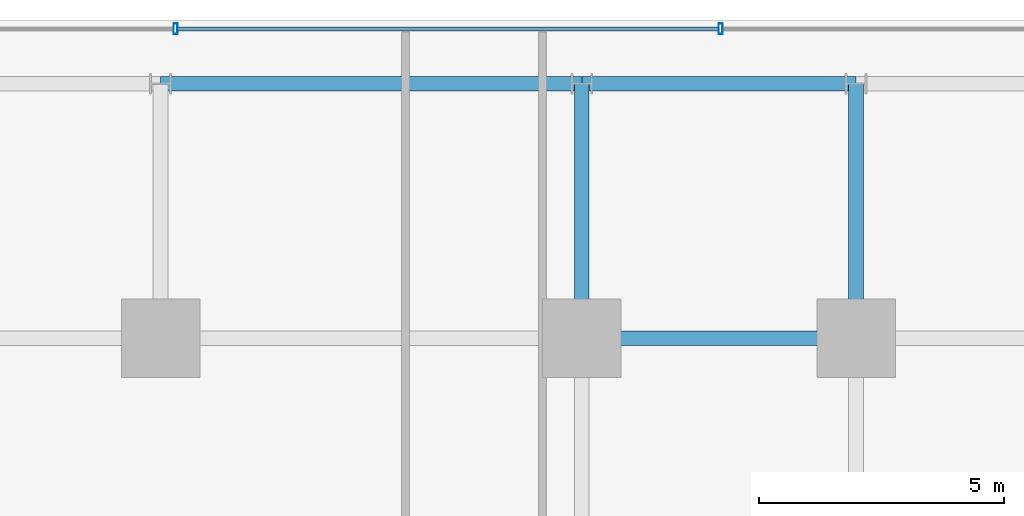
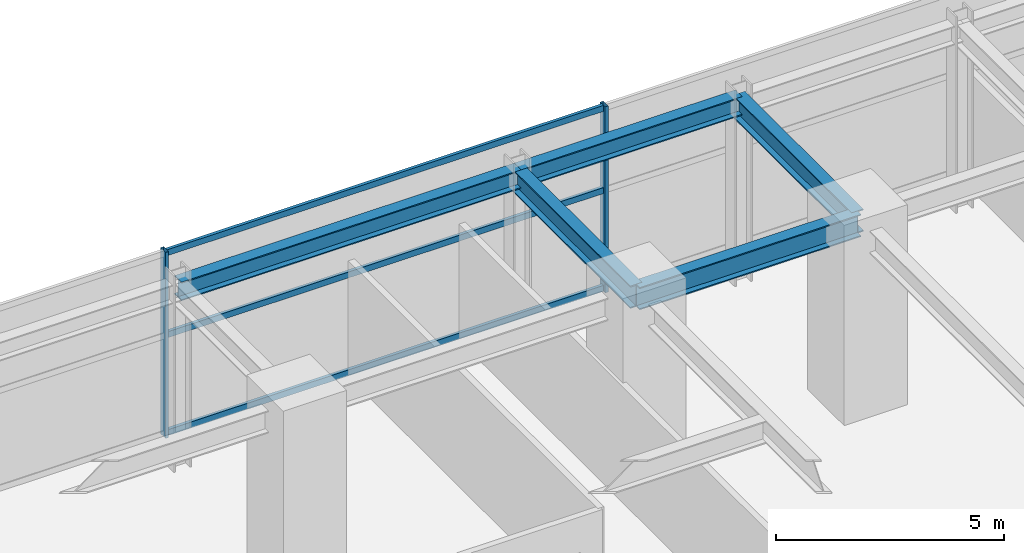
# One storey, part 18 of 35: 5 beams, 5 members, 1 element without a shape of its own.
"""IFC4 building model written with IfcOpenShell, lengths in metres."""

from ifc_helpers import new_model, si_unit, direction, frame, origin, origin_2d, place, context, subcontext, project, spatial, hollow_rectangle, i_section, extrude, source, transform, mapped, material, material_profile, profile_set, type_object, element, aggregate, save


model = new_model("IFC4")

# Units and contexts
model_context = context("Model", 3, precision=1e-05, world=origin(), true_north=direction((0.0, 1.0)))
body_context = subcontext(model_context, "Body", "Model", "MODEL_VIEW")
ifc_project = project(units=[si_unit("LENGTHUNIT", "METRE"), si_unit("AREAUNIT", "SQUARE_METRE"), si_unit("VOLUMEUNIT", "CUBIC_METRE"), si_unit("PLANEANGLEUNIT", "RADIAN"), si_unit("MASSUNIT", "GRAM", prefix="KILO")], contexts=[model_context])

# Site, building, storey
site_placement = place(None, origin())
site = spatial("IfcSite", under=ifc_project, at=site_placement, CompositionType="ELEMENT")
building_placement = place(site_placement, origin())
building = spatial("IfcBuilding", under=site, at=building_placement, Name="Nahalor Promenade Grand Hotel", CompositionType="ELEMENT")
storey_placement = place(building_placement, frame((0.0, 0.0, 21.60009765625)))
storey = spatial("IfcBuildingStorey", under=building, at=storey_placement, Name="L04", CompositionType="ELEMENT", Elevation=21.60009765625)

# Beams
ifc_material_1 = material(Name="Steel S355JR", Category="steel")
ifc_material_profile_1 = material_profile(ifc_material_1, i_section(OverallWidth=0.3, OverallDepth=0.6, WebThickness=0.0155, FlangeThickness=0.03, at=origin_2d()), Name="HEB 600")
ifc_profile_set_1 = profile_set([ifc_material_profile_1], Name="Steel S355JR")
beam_type_1 = type_object("IfcBeamType", Name="Beam-Girder-HEB600", PredefinedType="BEAM", material=ifc_profile_set_1)
shared_shape_1 = source(origin(), body_context, "Body", "SweptSolid", [
    extrude(i_section(OverallWidth=0.3, OverallDepth=0.6, WebThickness=0.0155, FlangeThickness=0.03, at=origin_2d()), origin(), (0.0, 0.0, 1.0), 5.599853515625),
])
beam_1_placement = place(storey_placement, frame((-8.39990234375, 17.0, 4.679931640625), z_axis=(1.0, 0.0, 0.0), x_axis=(0.0, 1.0, 0.0)))
element("IfcBeam", 1, at=beam_1_placement, inside=storey, type_object=beam_type_1, Name="BM-L04-GX-3-3", PredefinedType="BEAM", context=body_context, shape_type="MappedRepresentation", body=[
    mapped(shared_shape_1, transform((0.0, 0.0, 0.0), scale=1.0)),
])
shared_shape_2 = source(origin(), body_context, "Body", "SweptSolid", [
    extrude(i_section(OverallWidth=0.3, OverallDepth=0.6, WebThickness=0.0155, FlangeThickness=0.03, at=origin_2d()), origin(), (0.0, 0.0, 1.0), 5.199951171875),
])
for number, where, z_axis, x_axis, name in (
    (2, (-8.39990234375, 17.0, 4.679931640625), (0.0, 1.0, 0.0), (-1.0, 0.0, 0.0), "BM-L04-GY-1-4"),
    (3, (-2.800048828125, 17.0, 4.679931640625), (0.0, 1.0, 0.0), (-1.0, 0.0, 0.0), "BM-L04-GY-2-4"),
):
    element("IfcBeam", number, at=place(storey_placement, frame(where, z_axis=z_axis, x_axis=x_axis)), inside=storey, type_object=beam_type_1, Name=name, PredefinedType="BEAM", context=body_context, shape_type="MappedRepresentation", body=[
        mapped(shared_shape_2, transform((0.0, 0.0, 0.0), scale=1.0)),
    ])
ifc_material_profile_2 = material_profile(ifc_material_1, i_section(OverallWidth=0.3, OverallDepth=0.5, WebThickness=0.0145, FlangeThickness=0.028, at=origin_2d()), Name="HEB 500")
ifc_profile_set_2 = profile_set([ifc_material_profile_2], Name="Steel S355JR")
beam_type_2 = type_object("IfcBeamType", Name="Beam-Spandrel-HEB500", PredefinedType="SPANDREL", material=ifc_profile_set_2)
shared_shape_3 = source(origin(), body_context, "Body", "SweptSolid", [
    extrude(i_section(OverallWidth=0.3, OverallDepth=0.5, WebThickness=0.0145, FlangeThickness=0.028, at=origin_2d()), origin(), (0.0, 0.0, 1.0), 8.60009765625),
])
beam_2_placement = place(storey_placement, frame((-17.0, 22.199951171875, 4.72998046875), z_axis=(1.0, 0.0, 0.0), x_axis=(0.0, 1.0, 0.0)))
element("IfcBeam", 4, at=beam_2_placement, inside=storey, type_object=beam_type_2, Name="BM-L04-SP-N-0", PredefinedType="SPANDREL", context=body_context, shape_type="MappedRepresentation", body=[
    mapped(shared_shape_3, transform((0.0, 0.0, 0.0), scale=1.0)),
])
shared_shape_4 = source(origin(), body_context, "Body", "SweptSolid", [
    extrude(i_section(OverallWidth=0.3, OverallDepth=0.5, WebThickness=0.0145, FlangeThickness=0.028, at=origin_2d()), origin(), (0.0, 0.0, 1.0), 5.599853515625),
])
beam_3_placement = place(storey_placement, frame((-8.39990234375, 22.199951171875, 4.72998046875), z_axis=(1.0, 0.0, 0.0), x_axis=(0.0, 1.0, 0.0)))
element("IfcBeam", 5, at=beam_3_placement, inside=storey, type_object=beam_type_2, Name="BM-L04-SP-N-1", PredefinedType="SPANDREL", context=body_context, shape_type="MappedRepresentation", body=[
    mapped(shared_shape_4, transform((0.0, 0.0, 0.0), scale=1.0)),
])

# Curtain wall, members
ifc_material_2 = material(Name="Anodised Bronze Aluminium EN AW-6063 T6", Category="aluminium")
curtain_wall_type = type_object("IfcCurtainWallType", Name="CW1 Waterfront Podium Bronze Arcade Curtain Wall", PredefinedType="USERDEFINED", material=ifc_material_2)
curtain_wall_placement = place(storey_placement, origin())
curtain_wall = element("IfcCurtainWall", 6, at=curtain_wall_placement, inside=storey, type_object=curtain_wall_type, Name="L04 Curtain Wall CW-L04-N", ObjectType="UNITISED_CURTAIN_WALL", PredefinedType="USERDEFINED")
ifc_material_profile_3 = material_profile(ifc_material_2, hollow_rectangle(XDim=0.08, YDim=0.22, WallThickness=0.005, at=origin_2d()), Name="CWM 80x220x5")
ifc_profile_set_3 = profile_set([ifc_material_profile_3], Name="Anodised Bronze Aluminium EN AW-6063 T6")
member_type_1 = type_object("IfcMemberType", Name="CWM1 Podium Bronze Mullion 80x220", PredefinedType="MULLION", material=ifc_profile_set_3)
shared_shape_5 = source(origin(), body_context, "Body", "SweptSolid", [
    extrude(hollow_rectangle(XDim=0.08, YDim=0.22, WallThickness=0.005, at=origin_2d()), origin(), (0.0, 0.0, 1.0), 4.97998046875),
])
member_1_placement = place(storey_placement, frame((-16.69189453125, 23.320068359375, 0.0), z_axis=(0.0, 0.0, 1.0), x_axis=(1.0, 0.0, 0.0)))
member_1 = element("IfcMember", 7, at=member_1_placement, type_object=member_type_1, Name="CW-L04-N Mullion 1", PredefinedType="MULLION", context=body_context, shape_type="MappedRepresentation", body=[
    mapped(shared_shape_5, transform((0.0, 0.0, 0.0), scale=1.0)),
])
member_2_placement = place(storey_placement, frame((-5.56396484375, 23.320068359375, 0.0), z_axis=(0.0, 0.0, 1.0), x_axis=(1.0, 0.0, 0.0)))
member_2 = element("IfcMember", 8, at=member_2_placement, type_object=member_type_1, Name="CW-L04-N Mullion 2", PredefinedType="MULLION", context=body_context, shape_type="MappedRepresentation", body=[
    mapped(shared_shape_5, transform((0.0, 0.0, 0.0), scale=1.0)),
])
ifc_material_profile_4 = material_profile(ifc_material_2, hollow_rectangle(XDim=0.08, YDim=0.16, WallThickness=0.004, at=origin_2d()), Name="CWT 80x160x4")
ifc_profile_set_4 = profile_set([ifc_material_profile_4], Name="Anodised Bronze Aluminium EN AW-6063 T6")
member_type_2 = type_object("IfcMemberType", Name="CWT1 Podium Bronze Transom 80x160", PredefinedType="USERDEFINED", material=ifc_profile_set_4)
shared_shape_6 = source(origin(), body_context, "Body", "SweptSolid", [
    extrude(hollow_rectangle(XDim=0.08, YDim=0.16, WallThickness=0.004, at=origin_2d()), origin(), (0.0, 0.0, 1.0), 11.048095703125),
])
member_3_placement = place(storey_placement, frame((-16.652099609375, 23.320068359375, 0.079833984375), z_axis=(1.0, 0.0, 0.0), x_axis=(0.0, 1.0, 0.0)))
member_3 = element("IfcMember", 9, at=member_3_placement, type_object=member_type_2, Name="CW-L04-N Transom 1-0", ObjectType="TRANSOM", PredefinedType="USERDEFINED", context=body_context, shape_type="MappedRepresentation", body=[
    mapped(shared_shape_6, transform((0.0, 0.0, 0.0), scale=1.0)),
])
member_4_placement = place(storey_placement, frame((-16.652099609375, 23.320068359375, 2.699951171875), z_axis=(1.0, 0.0, 0.0), x_axis=(0.0, 1.0, 0.0)))
member_4 = element("IfcMember", 10, at=member_4_placement, type_object=member_type_2, Name="CW-L04-N Transom 1-1", ObjectType="TRANSOM", PredefinedType="USERDEFINED", context=body_context, shape_type="MappedRepresentation", body=[
    mapped(shared_shape_6, transform((0.0, 0.0, 0.0), scale=1.0)),
])
member_5_placement = place(storey_placement, frame((-16.652099609375, 23.320068359375, 4.89990234375), z_axis=(1.0, 0.0, 0.0), x_axis=(0.0, 1.0, 0.0)))
member_5 = element("IfcMember", 11, at=member_5_placement, type_object=member_type_2, Name="CW-L04-N Transom 1-2", ObjectType="TRANSOM", PredefinedType="USERDEFINED", context=body_context, shape_type="MappedRepresentation", body=[
    mapped(shared_shape_6, transform((0.0, 0.0, 0.0), scale=1.0)),
])
aggregate(curtain_wall, [member_1, member_2, member_3, member_4, member_5])

save(model, "model.ifc")
